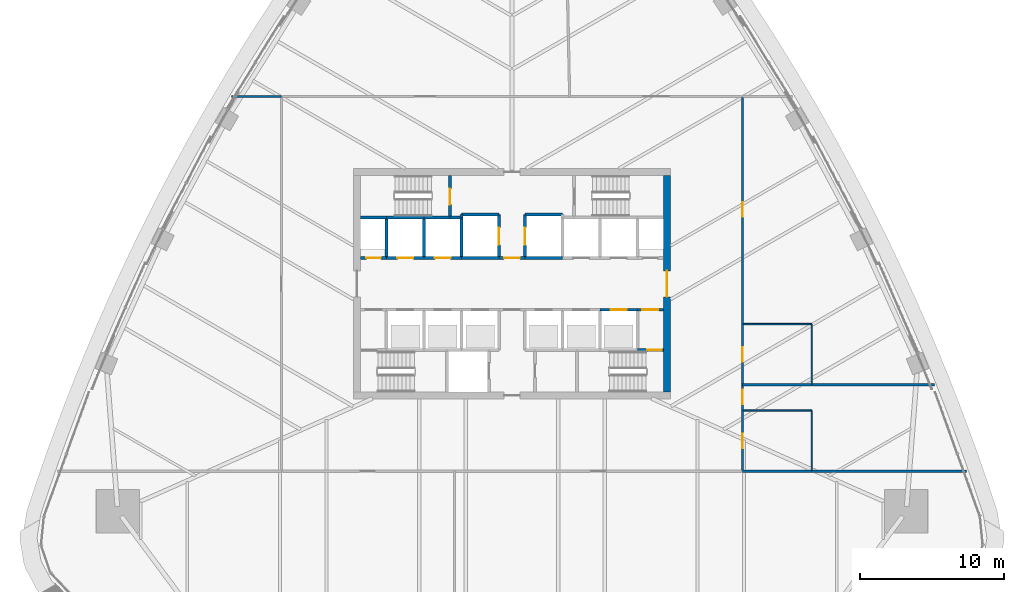
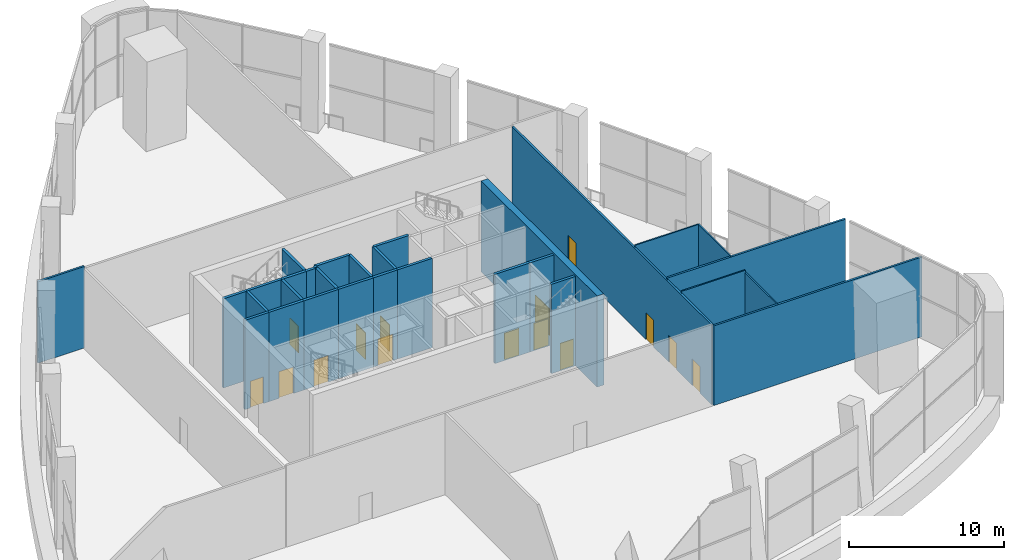
# One storey, part 14 of 23: 31 walls, 15 doors, 15 openings.
"""IFC4 building model written with IfcOpenShell, lengths in metres."""

from ifc_helpers import new_model, si_unit, direction, frame, frame_2d, origin, place, context, subcontext, project, spatial, rectangle, extrude, material, layer, layer_set, type_object, element, fill, save


model = new_model("IFC4")

# Units and contexts
model_context = context("Model", 3, precision=1e-05, world=origin(), true_north=direction((0.0, 1.0)))
body_context = subcontext(model_context, "Body", "Model", "MODEL_VIEW")
ifc_project = project(units=[si_unit("LENGTHUNIT", "METRE"), si_unit("AREAUNIT", "SQUARE_METRE"), si_unit("VOLUMEUNIT", "CUBIC_METRE"), si_unit("PLANEANGLEUNIT", "RADIAN"), si_unit("MASSUNIT", "GRAM", prefix="KILO")], contexts=[model_context])

# Site, building, storey
site_placement = place(None, origin())
site = spatial("IfcSite", under=ifc_project, at=site_placement, CompositionType="ELEMENT")
building_placement = place(site_placement, origin())
building = spatial("IfcBuilding", under=site, at=building_placement, Name="Sierra Prisma Convention Tower", CompositionType="ELEMENT")
storey_placement = place(building_placement, frame((0.0, 0.0, 40.800048828125)))
storey = spatial("IfcBuildingStorey", under=building, at=storey_placement, Name="L06", CompositionType="ELEMENT", Elevation=40.800048828125)

# Walls
ifc_material_1 = material(Name="Gypsum board partition", Category="gypsum")
ifc_layer_1 = layer(ifc_material_1, 0.10009765625)
ifc_layer_set_1 = layer_set([ifc_layer_1], Name="Bathroom partition 100")
wall_type_1 = type_object("IfcWallType", Name="Bathroom partition 100", PredefinedType="PARTITIONING", material=ifc_layer_set_1)
wall_1_placement = place(storey_placement, frame((16.030029296875, -8.800048828125, 0.0), z_axis=(0.0, 0.0, 1.0), x_axis=(1.0, 0.0, 0.0)))
element("IfcWall", 1, at=wall_1_placement, inside=storey, type_object=wall_type_1, Name="Partition L06 bath 1", PredefinedType="PARTITIONING", context=body_context, shape_type="SweptSolid", body=[
    extrude(rectangle(XDim=4.77001953125, YDim=0.10009765625, at=frame_2d((2.385009765625, 0.0))), origin(), (0.0, 0.0, 1.0), 6.447021484375),
])
wall_2_placement = place(storey_placement, frame((20.800048828125, -8.800048828125, 0.0), z_axis=(0.0, 0.0, 1.0), x_axis=(0.0, -1.0, 0.0)))
element("IfcWall", 2, at=wall_2_placement, inside=storey, type_object=wall_type_1, Name="Partition L06 bath 2", PredefinedType="PARTITIONING", context=body_context, shape_type="SweptSolid", body=[
    extrude(rectangle(XDim=4.169921875, YDim=0.10009765625, at=frame_2d((2.0849609375, 0.0))), origin(), (0.0, 0.0, 1.0), 6.296875),
])
wall_3_placement = place(storey_placement, frame((16.030029296875, -2.800048828125, 0.0), z_axis=(0.0, 0.0, 1.0), x_axis=(1.0, 0.0, 0.0)))
element("IfcWall", 3, at=wall_3_placement, inside=storey, type_object=wall_type_1, Name="Partition L06 bath 3", PredefinedType="PARTITIONING", context=body_context, shape_type="SweptSolid", body=[
    extrude(rectangle(XDim=4.77001953125, YDim=0.10009765625, at=frame_2d((2.385009765625, 0.0))), origin(), (0.0, 0.0, 1.0), 6.447021484375),
])
wall_4_placement = place(storey_placement, frame((20.800048828125, -2.800048828125, 0.0), z_axis=(0.0, 0.0, 1.0), x_axis=(0.0, -1.0, 0.0)))
element("IfcWall", 4, at=wall_4_placement, inside=storey, type_object=wall_type_1, Name="Partition L06 bath 4", PredefinedType="PARTITIONING", context=body_context, shape_type="SweptSolid", body=[
    extrude(rectangle(XDim=4.169921875, YDim=0.10009765625, at=frame_2d((2.0849609375, 0.0))), origin(), (0.0, 0.0, 1.0), 6.447021484375),
])

# Wall, opening, door
ifc_material_2 = material(Name="Concrete C30/37", Category="concrete")
ifc_layer_2 = layer(ifc_material_2, 0.199951171875)
ifc_layer_set_2 = layer_set([ifc_layer_2], Name="Core wall RC 200 C30/37")
wall_type_2 = type_object("IfcWallType", Name="Core wall RC 200 C30/37", PredefinedType="SOLIDWALL", material=ifc_layer_set_2)
wall_5_placement = place(storey_placement, frame((-8.699951171875, 1.800048828125, 0.0), z_axis=(0.0, 0.0, 1.0), x_axis=(-1.0, 0.0, 0.0)))
wall_5 = element("IfcWall", 5, at=wall_5_placement, inside=storey, type_object=wall_type_2, Name="Core wall L06 3", PredefinedType="SOLIDWALL", context=body_context, shape_type="SweptSolid", body=[
    extrude(rectangle(XDim=1.800048828125, YDim=0.199951171875, at=frame_2d((0.89990234375, 0.0))), origin(), (0.0, 0.0, 1.0), 7.050048828125),
])
opening_1_placement = place(wall_5_placement, frame((0.39990234375, 0.0, 0.0)))
opening_1 = element("IfcOpeningElement", 6, at=opening_1_placement, cuts=wall_5, Name="Opening L06-D018", PredefinedType="OPENING", context=body_context, shape_type="SweptSolid", body=[
    extrude(rectangle(XDim=1.0, YDim=2.10009765625, at=frame_2d((0.5, 1.050048828125))), frame((0.0, 0.10009765625, 0.0), z_axis=(0.0, -1.0, 0.0), x_axis=(1.0, 0.0, 0.0)), (0.0, 0.0, 1.0), 0.199951171875),
])
ifc_material_3 = material(Name="Steel fire door leaf", Category="steel")
door_type_1 = type_object("IfcDoorType", Name="Door 1000x2100 FD60S", OperationType="SINGLE_SWING_LEFT", PredefinedType="DOOR", material=ifc_material_3)
door_1_placement = place(opening_1_placement, origin())
door_1 = element("IfcDoor", 7, at=door_1_placement, inside=storey, type_object=door_type_1, Name="Door L06 27", OperationType="SINGLE_SWING_LEFT", OverallHeight=2.10009765625, OverallWidth=1.0, PredefinedType="DOOR", context=body_context, shape_type="SweptSolid", body=[
    extrude(rectangle(XDim=1.0, YDim=2.10009765625, at=frame_2d((0.5, 1.050048828125))), frame((0.0, 0.02490234375, 0.0), z_axis=(0.0, -1.0, 0.0), x_axis=(1.0, 0.0, 0.0)), (0.0, 0.0, 1.0), 0.050048828125),
])
fill(opening_1, door_1)

# Wall
wall_6_placement = place(storey_placement, frame((-8.699951171875, 4.60009765625, 0.0), z_axis=(0.0, 0.0, 1.0), x_axis=(-1.0, 0.0, 0.0)))
element("IfcWall", 8, at=wall_6_placement, inside=storey, type_object=wall_type_2, Name="Core wall L06 4", PredefinedType="SOLIDWALL", context=body_context, shape_type="SweptSolid", body=[
    extrude(rectangle(XDim=1.800048828125, YDim=0.199951171875, at=frame_2d((0.89990234375, 0.0))), origin(), (0.0, 0.0, 1.0), 7.050048828125),
])

# Wall, opening, door
wall_7_placement = place(storey_placement, frame((-6.10009765625, 1.800048828125, 0.0), z_axis=(0.0, 0.0, 1.0), x_axis=(-1.0, 0.0, 0.0)))
wall_7 = element("IfcWall", 9, at=wall_7_placement, inside=storey, type_object=wall_type_2, Name="Core wall L06 8", PredefinedType="SOLIDWALL", context=body_context, shape_type="SweptSolid", body=[
    extrude(rectangle(XDim=2.599853515625, YDim=0.199951171875, at=frame_2d((1.2998046875, 0.0))), origin(), (0.0, 0.0, 1.0), 7.050048828125),
])
opening_2_placement = place(wall_7_placement, frame((0.75, 0.0, 0.0)))
opening_2 = element("IfcOpeningElement", 10, at=opening_2_placement, cuts=wall_7, Name="Opening L06-D007", PredefinedType="OPENING", context=body_context, shape_type="SweptSolid", body=[
    extrude(rectangle(XDim=1.10009765625, YDim=2.10009765625, at=frame_2d((0.550048828125, 1.050048828125))), frame((0.0, 0.10009765625, 0.0), z_axis=(0.0, -1.0, 0.0), x_axis=(1.0, 0.0, 0.0)), (0.0, 0.0, 1.0), 0.199951171875),
])
ifc_material_4 = material(Name="Steel fire door leaf", Category="steel")
door_type_2 = type_object("IfcDoorType", Name="Door 1100x2100 EI 90 sliding lift landing", OperationType="SLIDING_TO_LEFT", PredefinedType="DOOR", material=ifc_material_4)
door_2_placement = place(opening_2_placement, origin())
door_2 = element("IfcDoor", 11, at=door_2_placement, inside=storey, type_object=door_type_2, Name="Door L06 16", OperationType="SLIDING_TO_RIGHT", OverallHeight=2.10009765625, OverallWidth=1.10009765625, PredefinedType="DOOR", context=body_context, shape_type="SweptSolid", body=[
    extrude(rectangle(XDim=1.10009765625, YDim=2.10009765625, at=frame_2d((0.550048828125, 1.050048828125))), frame((0.0, 0.02490234375, 0.0), z_axis=(0.0, -1.0, 0.0), x_axis=(1.0, 0.0, 0.0)), (0.0, 0.0, 1.0), 0.050048828125),
])
fill(opening_2, door_2)

# Walls
wall_8_placement = place(storey_placement, frame((-8.699951171875, 1.800048828125, 0.0), z_axis=(0.0, 0.0, 1.0), x_axis=(0.0, 1.0, 0.0)))
element("IfcWall", 12, at=wall_8_placement, inside=storey, type_object=wall_type_2, Name="Core wall L06 9", PredefinedType="SOLIDWALL", context=body_context, shape_type="SweptSolid", body=[
    extrude(rectangle(XDim=2.800048828125, YDim=0.199951171875, at=frame_2d((1.39990234375, 0.0))), origin(), (0.0, 0.0, 1.0), 7.050048828125),
])
wall_9_placement = place(storey_placement, frame((-6.10009765625, 4.60009765625, 0.0), z_axis=(0.0, 0.0, 1.0), x_axis=(-1.0, 0.0, 0.0)))
element("IfcWall", 13, at=wall_9_placement, inside=storey, type_object=wall_type_2, Name="Core wall L06 10", PredefinedType="SOLIDWALL", context=body_context, shape_type="SweptSolid", body=[
    extrude(rectangle(XDim=2.599853515625, YDim=0.199951171875, at=frame_2d((1.2998046875, 0.0))), origin(), (0.0, 0.0, 1.0), 7.050048828125),
])

# Wall, opening, door
wall_10_placement = place(storey_placement, frame((-3.5, 1.800048828125, 0.0), z_axis=(0.0, 0.0, 1.0), x_axis=(-1.0, 0.0, 0.0)))
wall_10 = element("IfcWall", 14, at=wall_10_placement, inside=storey, type_object=wall_type_2, Name="Core wall L06 14", PredefinedType="SOLIDWALL", context=body_context, shape_type="SweptSolid", body=[
    extrude(rectangle(XDim=2.60009765625, YDim=0.199951171875, at=frame_2d((1.300048828125, 0.0))), origin(), (0.0, 0.0, 1.0), 7.050048828125),
])
opening_3_placement = place(wall_10_placement, frame((0.75, 0.0, 0.0)))
opening_3 = element("IfcOpeningElement", 15, at=opening_3_placement, cuts=wall_10, Name="Opening L06-D008", PredefinedType="OPENING", context=body_context, shape_type="SweptSolid", body=[
    extrude(rectangle(XDim=1.10009765625, YDim=2.10009765625, at=frame_2d((0.550048828125, 1.050048828125))), frame((0.0, 0.10009765625, 0.0), z_axis=(0.0, -1.0, 0.0), x_axis=(1.0, 0.0, 0.0)), (0.0, 0.0, 1.0), 0.199951171875),
])
door_3_placement = place(opening_3_placement, origin())
door_3 = element("IfcDoor", 16, at=door_3_placement, inside=storey, type_object=door_type_2, Name="Door L06 17", OperationType="SLIDING_TO_LEFT", OverallHeight=2.10009765625, OverallWidth=1.10009765625, PredefinedType="DOOR", context=body_context, shape_type="SweptSolid", body=[
    extrude(rectangle(XDim=1.10009765625, YDim=2.10009765625, at=frame_2d((0.550048828125, 1.050048828125))), frame((0.0, 0.02490234375, 0.0), z_axis=(0.0, -1.0, 0.0), x_axis=(1.0, 0.0, 0.0)), (0.0, 0.0, 1.0), 0.050048828125),
])
fill(opening_3, door_3)

# Walls
wall_11_placement = place(storey_placement, frame((-6.10009765625, 1.800048828125, 0.0), z_axis=(0.0, 0.0, 1.0), x_axis=(0.0, 1.0, 0.0)))
element("IfcWall", 17, at=wall_11_placement, inside=storey, type_object=wall_type_2, Name="Core wall L06 15", PredefinedType="SOLIDWALL", context=body_context, shape_type="SweptSolid", body=[
    extrude(rectangle(XDim=2.800048828125, YDim=0.199951171875, at=frame_2d((1.39990234375, 0.0))), origin(), (0.0, 0.0, 1.0), 7.050048828125),
])
wall_12_placement = place(storey_placement, frame((-4.300048828125, 4.60009765625, 0.0), z_axis=(0.0, 0.0, 1.0), x_axis=(-1.0, 0.0, 0.0)))
element("IfcWall", 18, at=wall_12_placement, inside=storey, type_object=wall_type_2, Name="Core wall L06 16", PredefinedType="SOLIDWALL", context=body_context, shape_type="SweptSolid", body=[
    extrude(rectangle(XDim=1.800048828125, YDim=0.199951171875, at=frame_2d((0.89990234375, 0.0))), origin(), (0.0, 0.0, 1.0), 7.050048828125),
])
wall_13_placement = place(storey_placement, frame((-3.5, 4.60009765625, 0.0), z_axis=(0.0, 0.0, 1.0), x_axis=(-1.0, 0.0, 0.0)))
element("IfcWall", 19, at=wall_13_placement, inside=storey, type_object=wall_type_2, Name="Core wall L06 19", PredefinedType="SOLIDWALL", context=body_context, shape_type="SweptSolid", body=[
    extrude(rectangle(XDim=0.800048828125, YDim=0.199951171875, at=frame_2d((0.39990234375, 0.0))), origin(), (0.0, 0.0, 1.0), 7.050048828125),
])

# Wall, opening, door
wall_14_placement = place(storey_placement, frame((-4.300048828125, 4.60009765625, 0.0), z_axis=(0.0, 0.0, 1.0), x_axis=(0.0, 1.0, 0.0)))
wall_14 = element("IfcWall", 20, at=wall_14_placement, inside=storey, type_object=wall_type_2, Name="Core wall L06 20", PredefinedType="SOLIDWALL", context=body_context, shape_type="SweptSolid", body=[
    extrude(rectangle(XDim=2.89990234375, YDim=0.199951171875, at=frame_2d((1.449951171875, 0.0))), origin(), (0.0, 0.0, 1.0), 7.050048828125),
])
opening_4_placement = place(wall_14_placement, frame((0.89990234375, 0.0, 0.0)))
opening_4 = element("IfcOpeningElement", 21, at=opening_4_placement, cuts=wall_14, Name="Opening L06-D022", PredefinedType="OPENING", context=body_context, shape_type="SweptSolid", body=[
    extrude(rectangle(XDim=1.10009765625, YDim=2.10009765625, at=frame_2d((0.550048828125, 1.050048828125))), frame((0.0, 0.10009765625, 0.0), z_axis=(0.0, -1.0, 0.0), x_axis=(1.0, 0.0, 0.0)), (0.0, 0.0, 1.0), 0.199951171875),
])
ifc_material_5 = material(Name="Steel fire door leaf", Category="steel")
door_type_3 = type_object("IfcDoorType", Name="Door 1100x2100 FD90S", OperationType="SINGLE_SWING_LEFT", PredefinedType="DOOR", material=ifc_material_5)
door_4_placement = place(opening_4_placement, origin())
door_4 = element("IfcDoor", 22, at=door_4_placement, inside=storey, type_object=door_type_3, Name="Door L06 31", OperationType="SINGLE_SWING_RIGHT", OverallHeight=2.10009765625, OverallWidth=1.10009765625, PredefinedType="DOOR", context=body_context, shape_type="SweptSolid", body=[
    extrude(rectangle(XDim=1.10009765625, YDim=2.10009765625, at=frame_2d((0.550048828125, 1.050048828125))), frame((0.0, 0.02490234375, 0.0), z_axis=(0.0, -1.0, 0.0), x_axis=(1.0, 0.0, 0.0)), (0.0, 0.0, 1.0), 0.050048828125),
])
fill(opening_4, door_4)

# Walls
wall_15_placement = place(storey_placement, frame((-0.89990234375, 1.800048828125, 0.0), z_axis=(0.0, 0.0, 1.0), x_axis=(-1.0, 0.0, 0.0)))
element("IfcWall", 23, at=wall_15_placement, inside=storey, type_object=wall_type_2, Name="Core wall L06 24", PredefinedType="SOLIDWALL", context=body_context, shape_type="SweptSolid", body=[
    extrude(rectangle(XDim=2.60009765625, YDim=0.199951171875, at=frame_2d((1.300048828125, 0.0))), origin(), (0.0, 0.0, 1.0), 7.050048828125),
])
wall_16_placement = place(storey_placement, frame((-3.5, 4.60009765625, 0.0), z_axis=(0.0, 0.0, 1.0), x_axis=(0.0, -1.0, 0.0)))
element("IfcWall", 24, at=wall_16_placement, inside=storey, type_object=wall_type_2, Name="Core wall L06 25", PredefinedType="SOLIDWALL", context=body_context, shape_type="SweptSolid", body=[
    extrude(rectangle(XDim=2.800048828125, YDim=0.199951171875, at=frame_2d((1.39990234375, 0.0))), origin(), (0.0, 0.0, 1.0), 7.050048828125),
])

# Wall, opening, door
wall_17_placement = place(storey_placement, frame((-0.89990234375, 1.800048828125, 0.0), z_axis=(0.0, 0.0, 1.0), x_axis=(0.0, 1.0, 0.0)))
wall_17 = element("IfcWall", 25, at=wall_17_placement, inside=storey, type_object=wall_type_2, Name="Core wall L06 26", PredefinedType="SOLIDWALL", context=body_context, shape_type="SweptSolid", body=[
    extrude(rectangle(XDim=3.0, YDim=0.199951171875, at=frame_2d((1.5, 0.0))), origin(), (0.0, 0.0, 1.0), 7.050048828125),
])
opening_5_placement = place(wall_17_placement, frame((0.89990234375, 0.0, 0.0)))
opening_5 = element("IfcOpeningElement", 26, at=opening_5_placement, cuts=wall_17, Name="Opening L06-D011", PredefinedType="OPENING", context=body_context, shape_type="SweptSolid", body=[
    extrude(rectangle(XDim=1.199951171875, YDim=2.10009765625, at=frame_2d((0.60009765625, 1.050048828125))), frame((0.0, 0.10009765625, 0.0), z_axis=(0.0, -1.0, 0.0), x_axis=(1.0, 0.0, 0.0)), (0.0, 0.0, 1.0), 0.199951171875),
])
ifc_material_6 = material(Name="Steel fire door leaf", Category="steel")
door_type_4 = type_object("IfcDoorType", Name="Door 1200x2100 EI 90 sliding lift landing", OperationType="SLIDING_TO_LEFT", PredefinedType="DOOR", material=ifc_material_6)
door_5_placement = place(opening_5_placement, origin())
door_5 = element("IfcDoor", 27, at=door_5_placement, inside=storey, type_object=door_type_4, Name="Door L06 20", OperationType="SLIDING_TO_RIGHT", OverallHeight=2.10009765625, OverallWidth=1.199951171875, PredefinedType="DOOR", context=body_context, shape_type="SweptSolid", body=[
    extrude(rectangle(XDim=1.199951171875, YDim=2.10009765625, at=frame_2d((0.60009765625, 1.050048828125))), frame((0.0, 0.02490234375, 0.0), z_axis=(0.0, -1.0, 0.0), x_axis=(1.0, 0.0, 0.0)), (0.0, 0.0, 1.0), 0.050048828125),
])
fill(opening_5, door_5)

# Walls
wall_18_placement = place(storey_placement, frame((-0.89990234375, 4.800048828125, 0.0), z_axis=(0.0, 0.0, 1.0), x_axis=(-1.0, 0.0, 0.0)))
element("IfcWall", 28, at=wall_18_placement, inside=storey, type_object=wall_type_2, Name="Core wall L06 27", PredefinedType="SOLIDWALL", context=body_context, shape_type="SweptSolid", body=[
    extrude(rectangle(XDim=2.60009765625, YDim=0.199951171875, at=frame_2d((1.300048828125, 0.0))), origin(), (0.0, 0.0, 1.0), 7.050048828125),
])
wall_19_placement = place(storey_placement, frame((-3.5, 4.800048828125, 0.0), z_axis=(0.0, 0.0, 1.0), x_axis=(0.0, -1.0, 0.0)))
element("IfcWall", 29, at=wall_19_placement, inside=storey, type_object=wall_type_2, Name="Core wall L06 28", PredefinedType="SOLIDWALL", context=body_context, shape_type="SweptSolid", body=[
    extrude(rectangle(XDim=0.199951171875, YDim=0.199951171875, at=frame_2d((0.10009765625, 0.0))), origin(), (0.0, 0.0, 1.0), 7.050048828125),
])

# Wall, opening, door
wall_20_placement = place(storey_placement, frame((0.89990234375, 1.800048828125, 0.0), z_axis=(0.0, 0.0, 1.0), x_axis=(-1.0, 0.0, 0.0)))
wall_20 = element("IfcWall", 30, at=wall_20_placement, inside=storey, type_object=wall_type_2, Name="Core wall L06 33", PredefinedType="SOLIDWALL", context=body_context, shape_type="SweptSolid", body=[
    extrude(rectangle(XDim=1.7998046875, YDim=0.199951171875, at=frame_2d((0.89990234375, 0.0))), origin(), (0.0, 0.0, 1.0), 7.050048828125),
])
opening_6_placement = place(wall_20_placement, frame((0.35009765625, 0.0, 0.0)))
opening_6 = element("IfcOpeningElement", 31, at=opening_6_placement, cuts=wall_20, Name="Opening L06-D016", PredefinedType="OPENING", context=body_context, shape_type="SweptSolid", body=[
    extrude(rectangle(XDim=1.10009765625, YDim=2.10009765625, at=frame_2d((0.550048828125, 1.050048828125))), frame((0.0, 0.10009765625, 0.0), z_axis=(0.0, -1.0, 0.0), x_axis=(1.0, 0.0, 0.0)), (0.0, 0.0, 1.0), 0.199951171875),
])
ifc_material_7 = material(Name="Steel fire door leaf", Category="steel")
door_type_5 = type_object("IfcDoorType", Name="Door 1100x2100 FD60S", OperationType="SINGLE_SWING_LEFT", PredefinedType="DOOR", material=ifc_material_7)
door_6_placement = place(opening_6_placement, origin())
door_6 = element("IfcDoor", 32, at=door_6_placement, inside=storey, type_object=door_type_5, Name="Door L06 25", OperationType="SINGLE_SWING_RIGHT", OverallHeight=2.10009765625, OverallWidth=1.10009765625, PredefinedType="DOOR", context=body_context, shape_type="SweptSolid", body=[
    extrude(rectangle(XDim=1.10009765625, YDim=2.10009765625, at=frame_2d((0.550048828125, 1.050048828125))), frame((0.0, 0.02490234375, 0.0), z_axis=(0.0, -1.0, 0.0), x_axis=(1.0, 0.0, 0.0)), (0.0, 0.0, 1.0), 0.050048828125),
])
fill(opening_6, door_6)

# Walls
for number, where, z_axis, x_axis, name in (
    (33, (3.5, 1.800048828125, 0.0), (0.0, 0.0, 1.0), (-1.0, 0.0, 0.0), "Core wall L06 37"),
    (34, (3.5, 4.800048828125, 0.0), (0.0, 0.0, 1.0), (-1.0, 0.0, 0.0), "Core wall L06 39"),
):
    element("IfcWall", number, at=place(storey_placement, frame(where, z_axis=z_axis, x_axis=x_axis)), inside=storey, type_object=wall_type_2, Name=name, PredefinedType="SOLIDWALL", context=body_context, shape_type="SweptSolid", body=[
        extrude(rectangle(XDim=2.60009765625, YDim=0.199951171875, at=frame_2d((1.300048828125, 0.0))), origin(), (0.0, 0.0, 1.0), 7.050048828125),
    ])

# Wall, opening, door
wall_21_placement = place(storey_placement, frame((0.89990234375, 4.800048828125, 0.0), z_axis=(0.0, 0.0, 1.0), x_axis=(0.0, -1.0, 0.0)))
wall_21 = element("IfcWall", 35, at=wall_21_placement, inside=storey, type_object=wall_type_2, Name="Core wall L06 40", PredefinedType="SOLIDWALL", context=body_context, shape_type="SweptSolid", body=[
    extrude(rectangle(XDim=3.0, YDim=0.199951171875, at=frame_2d((1.5, 0.0))), origin(), (0.0, 0.0, 1.0), 7.050048828125),
])
opening_7_placement = place(wall_21_placement, frame((0.89990234375, 0.0, 0.0)))
opening_7 = element("IfcOpeningElement", 36, at=opening_7_placement, cuts=wall_21, Name="Opening L06-D012", PredefinedType="OPENING", context=body_context, shape_type="SweptSolid", body=[
    extrude(rectangle(XDim=1.199951171875, YDim=2.10009765625, at=frame_2d((0.60009765625, 1.050048828125))), frame((0.0, 0.10009765625, 0.0), z_axis=(0.0, -1.0, 0.0), x_axis=(1.0, 0.0, 0.0)), (0.0, 0.0, 1.0), 0.199951171875),
])
door_7_placement = place(opening_7_placement, origin())
door_7 = element("IfcDoor", 37, at=door_7_placement, inside=storey, type_object=door_type_4, Name="Door L06 21", OperationType="SLIDING_TO_LEFT", OverallHeight=2.10009765625, OverallWidth=1.199951171875, PredefinedType="DOOR", context=body_context, shape_type="SweptSolid", body=[
    extrude(rectangle(XDim=1.199951171875, YDim=2.10009765625, at=frame_2d((0.60009765625, 1.050048828125))), frame((0.0, 0.02490234375, 0.0), z_axis=(0.0, -1.0, 0.0), x_axis=(1.0, 0.0, 0.0)), (0.0, 0.0, 1.0), 0.050048828125),
])
fill(opening_7, door_7)

wall_22_placement = place(storey_placement, frame((6.10009765625, -1.800048828125, 0.0), z_axis=(0.0, 0.0, 1.0), x_axis=(1.0, 0.0, 0.0)))
wall_22 = element("IfcWall", 38, at=wall_22_placement, inside=storey, type_object=wall_type_2, Name="Core wall L06 55", PredefinedType="SOLIDWALL", context=body_context, shape_type="SweptSolid", body=[
    extrude(rectangle(XDim=2.599853515625, YDim=0.199951171875, at=frame_2d((1.2998046875, 0.0))), origin(), (0.0, 0.0, 1.0), 7.050048828125),
])
opening_8_placement = place(wall_22_placement, frame((0.75, 0.0, 0.0)))
opening_8 = element("IfcOpeningElement", 39, at=opening_8_placement, cuts=wall_22, Name="Opening L06-D006", PredefinedType="OPENING", context=body_context, shape_type="SweptSolid", body=[
    extrude(rectangle(XDim=1.10009765625, YDim=2.10009765625, at=frame_2d((0.550048828125, 1.050048828125))), frame((0.0, 0.10009765625, 0.0), z_axis=(0.0, -1.0, 0.0), x_axis=(1.0, 0.0, 0.0)), (0.0, 0.0, 1.0), 0.199951171875),
])
door_8_placement = place(opening_8_placement, origin())
door_8 = element("IfcDoor", 40, at=door_8_placement, inside=storey, type_object=door_type_2, Name="Door L06 15", OperationType="SLIDING_TO_LEFT", OverallHeight=2.10009765625, OverallWidth=1.10009765625, PredefinedType="DOOR", context=body_context, shape_type="SweptSolid", body=[
    extrude(rectangle(XDim=1.10009765625, YDim=2.10009765625, at=frame_2d((0.550048828125, 1.050048828125))), frame((0.0, 0.02490234375, 0.0), z_axis=(0.0, -1.0, 0.0), x_axis=(1.0, 0.0, 0.0)), (0.0, 0.0, 1.0), 0.050048828125),
])
fill(opening_8, door_8)

wall_23_placement = place(storey_placement, frame((8.699951171875, -4.60009765625, 0.0), z_axis=(0.0, 0.0, 1.0), x_axis=(1.0, 0.0, 0.0)))
wall_23 = element("IfcWall", 41, at=wall_23_placement, inside=storey, type_object=wall_type_2, Name="Core wall L06 59", PredefinedType="SOLIDWALL", context=body_context, shape_type="SweptSolid", body=[
    extrude(rectangle(XDim=1.800048828125, YDim=0.199951171875, at=frame_2d((0.89990234375, 0.0))), origin(), (0.0, 0.0, 1.0), 7.050048828125),
])
opening_9_placement = place(wall_23_placement, frame((0.699951171875, 0.0, 0.0)))
opening_9 = element("IfcOpeningElement", 42, at=opening_9_placement, cuts=wall_23, Name="Opening L06-D021", PredefinedType="OPENING", context=body_context, shape_type="SweptSolid", body=[
    extrude(rectangle(XDim=1.0, YDim=2.10009765625, at=frame_2d((0.5, 1.050048828125))), frame((0.0, 0.10009765625, 0.0), z_axis=(0.0, -1.0, 0.0), x_axis=(1.0, 0.0, 0.0)), (0.0, 0.0, 1.0), 0.199951171875),
])
ifc_material_8 = material(Name="Steel fire door leaf", Category="steel")
door_type_6 = type_object("IfcDoorType", Name="Door 1000x2100 FD90S", OperationType="SINGLE_SWING_LEFT", PredefinedType="DOOR", material=ifc_material_8)
door_9_placement = place(opening_9_placement, origin())
door_9 = element("IfcDoor", 43, at=door_9_placement, inside=storey, type_object=door_type_6, Name="Door L06 30", OperationType="SINGLE_SWING_RIGHT", OverallHeight=2.10009765625, OverallWidth=1.0, PredefinedType="DOOR", context=body_context, shape_type="SweptSolid", body=[
    extrude(rectangle(XDim=1.0, YDim=2.10009765625, at=frame_2d((0.5, 1.050048828125))), frame((0.0, 0.02490234375, 0.0), z_axis=(0.0, -1.0, 0.0), x_axis=(1.0, 0.0, 0.0)), (0.0, 0.0, 1.0), 0.050048828125),
])
fill(opening_9, door_9)

wall_24_placement = place(storey_placement, frame((8.699951171875, -1.800048828125, 0.0), z_axis=(0.0, 0.0, 1.0), x_axis=(1.0, 0.0, 0.0)))
wall_24 = element("IfcWall", 44, at=wall_24_placement, inside=storey, type_object=wall_type_2, Name="Core wall L06 61", PredefinedType="SOLIDWALL", context=body_context, shape_type="SweptSolid", body=[
    extrude(rectangle(XDim=1.800048828125, YDim=0.199951171875, at=frame_2d((0.89990234375, 0.0))), origin(), (0.0, 0.0, 1.0), 7.050048828125),
])
opening_10_placement = place(wall_24_placement, frame((0.35009765625, 0.0, 0.0)))
opening_10 = element("IfcOpeningElement", 45, at=opening_10_placement, cuts=wall_24, Name="Opening L06-D015", PredefinedType="OPENING", context=body_context, shape_type="SweptSolid", body=[
    extrude(rectangle(XDim=1.10009765625, YDim=2.10009765625, at=frame_2d((0.550048828125, 1.050048828125))), frame((0.0, 0.10009765625, 0.0), z_axis=(0.0, -1.0, 0.0), x_axis=(1.0, 0.0, 0.0)), (0.0, 0.0, 1.0), 0.199951171875),
])
door_10_placement = place(opening_10_placement, origin())
door_10 = element("IfcDoor", 46, at=door_10_placement, inside=storey, type_object=door_type_3, Name="Door L06 24", OperationType="SINGLE_SWING_RIGHT", OverallHeight=2.10009765625, OverallWidth=1.10009765625, PredefinedType="DOOR", context=body_context, shape_type="SweptSolid", body=[
    extrude(rectangle(XDim=1.10009765625, YDim=2.10009765625, at=frame_2d((0.550048828125, 1.050048828125))), frame((0.0, 0.02490234375, 0.0), z_axis=(0.0, -1.0, 0.0), x_axis=(1.0, 0.0, 0.0)), (0.0, 0.0, 1.0), 0.050048828125),
])
fill(opening_10, door_10)

ifc_material_9 = material(Name="Concrete C60/75", Category="concrete")
ifc_layer_3 = layer(ifc_material_9, 0.5)
ifc_layer_set_3 = layer_set([ifc_layer_3], Name="Core wall RC 500 C60/75")
wall_type_3 = type_object("IfcWallType", Name="Core wall RC 500 C60/75", PredefinedType="SHEAR", material=ifc_layer_set_3)
wall_25_placement = place(storey_placement, frame((10.75, -7.5, 0.0), z_axis=(0.0, 0.0, 1.0), x_axis=(0.0, 1.0, 0.0)))
wall_25 = element("IfcWall", 47, at=wall_25_placement, inside=storey, type_object=wall_type_3, Name="Core wall E L06", PredefinedType="SHEAR", context=body_context, shape_type="SweptSolid", body=[
    extrude(rectangle(XDim=15.0, YDim=0.5, at=frame_2d((7.5, 0.0))), origin(), (0.0, 0.0, 1.0), 7.199951171875),
])
opening_11_placement = place(wall_25_placement, frame((6.60009765625, 0.0, 0.0)))
opening_11 = element("IfcOpeningElement", 48, at=opening_11_placement, cuts=wall_25, Name="Opening L06-D034", PredefinedType="OPENING", context=body_context, shape_type="SweptSolid", body=[
    extrude(rectangle(XDim=1.800048828125, YDim=2.10009765625, at=frame_2d((0.89990234375, 1.050048828125))), frame((0.0, 0.25, 0.0), z_axis=(0.0, -1.0, 0.0), x_axis=(1.0, 0.0, 0.0)), (0.0, 0.0, 1.0), 0.5),
])
ifc_material_10 = material(Name="Steel fire door leaf", Category="steel")
door_type_7 = type_object("IfcDoorType", Name="Door 1800x2100 FD60S", OperationType="DOUBLE_DOOR_SINGLE_SWING", PredefinedType="DOOR", material=ifc_material_10)
door_11_placement = place(opening_11_placement, origin())
door_11 = element("IfcDoor", 49, at=door_11_placement, inside=storey, type_object=door_type_7, Name="Door L06 35", OperationType="DOUBLE_DOOR_SINGLE_SWING", OverallHeight=2.10009765625, OverallWidth=1.800048828125, PredefinedType="DOOR", context=body_context, shape_type="SweptSolid", body=[
    extrude(rectangle(XDim=1.800048828125, YDim=2.10009765625, at=frame_2d((0.89990234375, 1.050048828125))), frame((0.0, 0.02490234375, 0.0), z_axis=(0.0, -1.0, 0.0), x_axis=(1.0, 0.0, 0.0)), (0.0, 0.0, 1.0), 0.050048828125),
])
fill(opening_11, door_11)

# Wall, openings, doors
ifc_material_11 = material(Name="Gypsum board partition", Category="gypsum")
ifc_layer_4 = layer(ifc_material_11, 0.14990234375)
ifc_layer_set_4 = layer_set([ifc_layer_4], Name="Corridor wall 150 gypsum EI 60")
wall_type_4 = type_object("IfcWallType", Name="Corridor wall 150 gypsum EI 60", PredefinedType="PARTITIONING", material=ifc_layer_set_4)
wall_26_placement = place(storey_placement, frame((16.0, -12.919921875, 0.0), z_axis=(0.0, 0.0, 1.0), x_axis=(0.0, 1.0, 0.0)))
wall_26 = element("IfcWall", 50, at=wall_26_placement, inside=storey, type_object=wall_type_4, Name="Partition L06 corr 4", PredefinedType="PARTITIONING", context=body_context, shape_type="SweptSolid", body=[
    extrude(rectangle(XDim=25.83984375, YDim=0.14990234375, at=frame_2d((12.919921875, 0.0))), origin(), (0.0, 0.0, 1.0), 6.296875),
])
opening_12_placement = place(wall_26_placement, frame((7.52001953125, 0.0, 0.0)))
opening_12 = element("IfcOpeningElement", 51, at=opening_12_placement, cuts=wall_26, Name="Opening L06-D025", PredefinedType="OPENING", context=body_context, shape_type="SweptSolid", body=[
    extrude(rectangle(XDim=1.0, YDim=2.10009765625, at=frame_2d((0.5, 1.050048828125))), frame((0.0, 0.074951171875, 0.0), z_axis=(0.0, -1.0, 0.0), x_axis=(1.0, 0.0, 0.0)), (0.0, 0.0, 1.0), 0.14990234375),
])
opening_13_placement = place(wall_26_placement, frame((17.570068359375, 0.0, 0.0)))
opening_13 = element("IfcOpeningElement", 52, at=opening_13_placement, cuts=wall_26, Name="Opening L06-D026", PredefinedType="OPENING", context=body_context, shape_type="SweptSolid", body=[
    extrude(rectangle(XDim=1.0, YDim=2.10009765625, at=frame_2d((0.5, 1.050048828125))), frame((0.0, 0.074951171875, 0.0), z_axis=(0.0, -1.0, 0.0), x_axis=(1.0, 0.0, 0.0)), (0.0, 0.0, 1.0), 0.14990234375),
])
opening_14_placement = place(wall_26_placement, frame((1.52001953125, 0.0, 0.0)))
opening_14 = element("IfcOpeningElement", 53, at=opening_14_placement, cuts=wall_26, Name="Opening L06-D032", PredefinedType="OPENING", context=body_context, shape_type="SweptSolid", body=[
    extrude(rectangle(XDim=1.0, YDim=2.10009765625, at=frame_2d((0.5, 1.050048828125))), frame((0.0, 0.074951171875, 0.0), z_axis=(0.0, -1.0, 0.0), x_axis=(1.0, 0.0, 0.0)), (0.0, 0.0, 1.0), 0.14990234375),
])
opening_15_placement = place(wall_26_placement, frame((4.570068359375, 0.0, 0.0)))
opening_15 = element("IfcOpeningElement", 54, at=opening_15_placement, cuts=wall_26, Name="Opening L06-D033", PredefinedType="OPENING", context=body_context, shape_type="SweptSolid", body=[
    extrude(rectangle(XDim=1.0, YDim=2.10009765625, at=frame_2d((0.5, 1.050048828125))), frame((0.0, 0.074951171875, 0.0), z_axis=(0.0, -1.0, 0.0), x_axis=(1.0, 0.0, 0.0)), (0.0, 0.0, 1.0), 0.14990234375),
])
ifc_material_12 = material(Name="Steel fire door leaf", Category="steel")
door_type_8 = type_object("IfcDoorType", Name="Door 1000x2100 FD30S", OperationType="SINGLE_SWING_LEFT", PredefinedType="DOOR", material=ifc_material_12)
door_12_placement = place(opening_12_placement, origin())
door_12 = element("IfcDoor", 55, at=door_12_placement, inside=storey, type_object=door_type_8, Name="Door L06 1", OperationType="SINGLE_SWING_RIGHT", OverallHeight=2.10009765625, OverallWidth=1.0, PredefinedType="DOOR", context=body_context, shape_type="SweptSolid", body=[
    extrude(rectangle(XDim=1.0, YDim=2.10009765625, at=frame_2d((0.5, 1.050048828125))), frame((0.0, 0.02490234375, 0.0), z_axis=(0.0, -1.0, 0.0), x_axis=(1.0, 0.0, 0.0)), (0.0, 0.0, 1.0), 0.050048828125),
])
fill(opening_12, door_12)
door_13_placement = place(opening_13_placement, origin())
door_13 = element("IfcDoor", 56, at=door_13_placement, inside=storey, type_object=door_type_8, Name="Door L06 2", OperationType="SINGLE_SWING_LEFT", OverallHeight=2.10009765625, OverallWidth=1.0, PredefinedType="DOOR", context=body_context, shape_type="SweptSolid", body=[
    extrude(rectangle(XDim=1.0, YDim=2.10009765625, at=frame_2d((0.5, 1.050048828125))), frame((0.0, 0.02490234375, 0.0), z_axis=(0.0, -1.0, 0.0), x_axis=(1.0, 0.0, 0.0)), (0.0, 0.0, 1.0), 0.050048828125),
])
fill(opening_13, door_13)
door_14_placement = place(opening_14_placement, origin())
door_14 = element("IfcDoor", 57, at=door_14_placement, inside=storey, type_object=door_type_8, Name="Door L06 8", OperationType="SINGLE_SWING_RIGHT", OverallHeight=2.10009765625, OverallWidth=1.0, PredefinedType="DOOR", context=body_context, shape_type="SweptSolid", body=[
    extrude(rectangle(XDim=1.0, YDim=2.10009765625, at=frame_2d((0.5, 1.050048828125))), frame((0.0, 0.02490234375, 0.0), z_axis=(0.0, -1.0, 0.0), x_axis=(1.0, 0.0, 0.0)), (0.0, 0.0, 1.0), 0.050048828125),
])
fill(opening_14, door_14)
door_15_placement = place(opening_15_placement, origin())
door_15 = element("IfcDoor", 58, at=door_15_placement, inside=storey, type_object=door_type_8, Name="Door L06 9", OperationType="SINGLE_SWING_LEFT", OverallHeight=2.10009765625, OverallWidth=1.0, PredefinedType="DOOR", context=body_context, shape_type="SweptSolid", body=[
    extrude(rectangle(XDim=1.0, YDim=2.10009765625, at=frame_2d((0.5, 1.050048828125))), frame((0.0, 0.02490234375, 0.0), z_axis=(0.0, -1.0, 0.0), x_axis=(1.0, 0.0, 0.0)), (0.0, 0.0, 1.0), 0.050048828125),
])
fill(opening_15, door_15)

# Walls
ifc_material_13 = material(Name="Gypsum board partition", Category="gypsum")
ifc_layer_5 = layer(ifc_material_13, 0.14990234375)
ifc_layer_set_5 = layer_set([ifc_layer_5], Name="Party wall 150 gypsum")
wall_type_5 = type_object("IfcWallType", Name="Party wall 150 gypsum", PredefinedType="PARTITIONING", material=ifc_layer_set_5)
wall_27_placement = place(storey_placement, frame((-16.0, 13.0, 0.0), z_axis=(0.0, 0.0, 1.0), x_axis=(-1.0, 0.0, 0.0)))
element("IfcWall", 59, at=wall_27_placement, inside=storey, type_object=wall_type_5, Name="Partition L06 party 2", PredefinedType="PARTITIONING", context=body_context, shape_type="SweptSolid", body=[
    extrude(rectangle(XDim=3.47900390625, YDim=0.14990234375, at=frame_2d((1.739501953125, 0.0))), origin(), (0.0, 0.0, 1.0), 6.433837890625),
])
wall_28_placement = place(storey_placement, frame((16.0, -13.0, 0.0), z_axis=(0.0, 0.0, 1.0), x_axis=(1.0, 0.0, 0.0)))
element("IfcWall", 60, at=wall_28_placement, inside=storey, type_object=wall_type_5, Name="Partition L06 party 5", PredefinedType="PARTITIONING", context=body_context, shape_type="SweptSolid", body=[
    extrude(rectangle(XDim=15.55224609375, YDim=0.14990234375, at=frame_2d((7.776123046875, 0.0))), origin(), (0.0, 0.0, 1.0), 6.296875),
])
wall_29_placement = place(storey_placement, frame((29.31298828125, -7.0, 0.0), z_axis=(0.0, 0.0, 1.0), x_axis=(-1.0, 0.0, 0.0)))
element("IfcWall", 61, at=wall_29_placement, inside=storey, type_object=wall_type_5, Name="Partition L06 party 6", PredefinedType="PARTITIONING", context=body_context, shape_type="SweptSolid", body=[
    extrude(rectangle(XDim=13.31298828125, YDim=0.14990234375, at=frame_2d((6.656494140625, 0.0))), origin(), (0.0, 0.0, 1.0), 6.433837890625),
])

save(model, "model.ifc")
